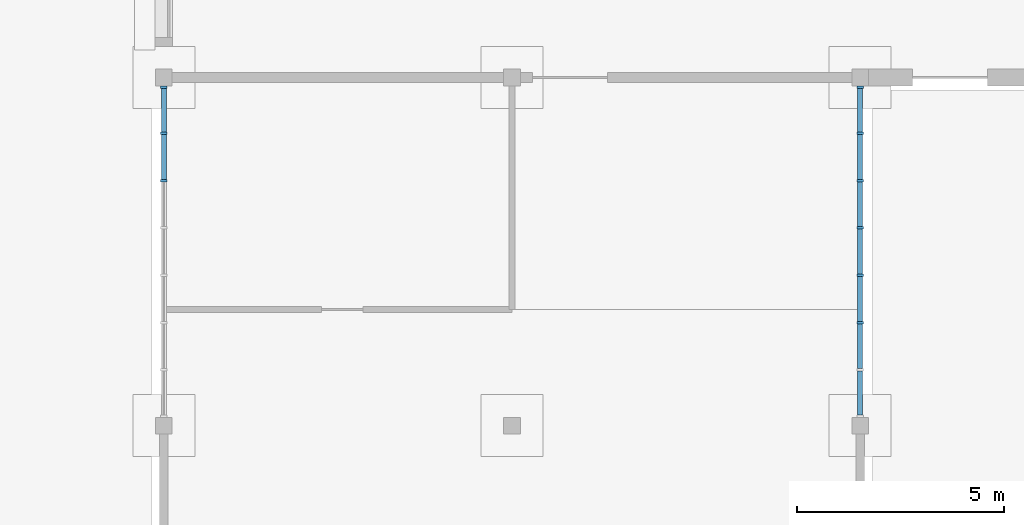
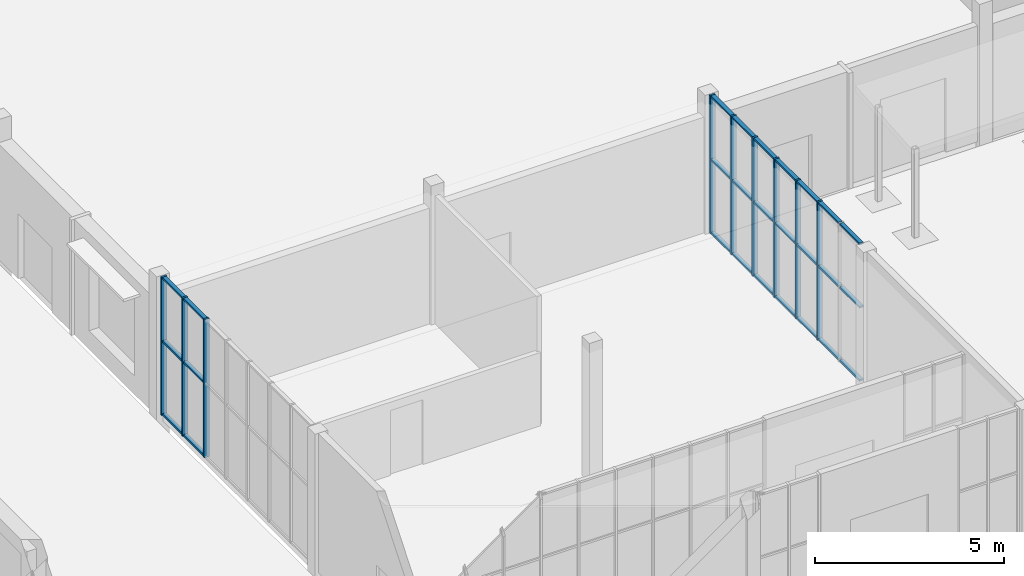
# One storey, part 11 of 36: 36 members, 2 elements without a shape of their own.
"""IFC4 building model written with IfcOpenShell, lengths in metres."""

from ifc_helpers import new_model, si_unit, direction, frame, origin, origin_2d, place, context, subcontext, project, spatial, rectangle, extrude, material, material_profile, profile_set, type_object, element, aggregate, save


model = new_model("IFC4")

# Units and contexts
model_context = context("Model", 3, precision=1e-05, world=origin(), true_north=direction((0.0, 1.0)))
body_context = subcontext(model_context, "Body", "Model", "MODEL_VIEW")
ifc_project = project(units=[si_unit("LENGTHUNIT", "METRE"), si_unit("AREAUNIT", "SQUARE_METRE"), si_unit("VOLUMEUNIT", "CUBIC_METRE"), si_unit("PLANEANGLEUNIT", "RADIAN"), si_unit("MASSUNIT", "GRAM", prefix="KILO")], contexts=[model_context])

# Site, building, storey
site_placement = place(None, origin())
site = spatial("IfcSite", under=ifc_project, at=site_placement, CompositionType="ELEMENT")
building_placement = place(site_placement, origin())
building = spatial("IfcBuilding", under=site, at=building_placement, Name="Fescue Hill Polytechnic", CompositionType="ELEMENT")
storey_placement = place(building_placement, origin())
storey = spatial("IfcBuildingStorey", under=building, at=storey_placement, Name="L00", CompositionType="ELEMENT", Elevation=0.0)

# Curtain wall, members
ifc_material_1 = material(Name="Glass", Category="glass")
curtain_wall_type = type_object("IfcCurtainWallType", Name="Curtain wall structural glazing", PredefinedType="NOTDEFINED", material=ifc_material_1)
curtain_wall_1_placement = place(storey_placement, origin())
curtain_wall_1 = element("IfcCurtainWall", 1, at=curtain_wall_1_placement, inside=storey, type_object=curtain_wall_type, Name="CW-L00-V7-1", PredefinedType="NOTDEFINED")
ifc_material_2 = material(Name="Powder-coated aluminium", Category="aluminium")
ifc_material_profile_1 = material_profile(ifc_material_2, rectangle(XDim=0.159912109375, YDim=0.06005859375, at=origin_2d()), Name="Mullion aluminium 60x160")
ifc_profile_set_1 = profile_set([ifc_material_profile_1], Name="Powder-coated aluminium")
member_type_1 = type_object("IfcMemberType", Name="Mullion aluminium 60x160", PredefinedType="MULLION", material=ifc_profile_set_1)
member_1_placement = place(storey_placement, frame((142.800048828125, 2.485595703125, 0.0), z_axis=(0.0, 0.0, 1.0), x_axis=(-1.0, 0.0, 0.0)))
member_1 = element("IfcMember", 2, at=member_1_placement, type_object=member_type_1, Name="CW37 mullion 3", PredefinedType="MULLION", context=body_context, shape_type="SweptSolid", body=[
    extrude(rectangle(XDim=0.159912109375, YDim=0.06005859375, at=origin_2d()), origin(), (0.0, 0.0, 1.0), 4.47998046875),
])
member_2_placement = place(storey_placement, frame((142.800048828125, 3.628662109375, 0.0), z_axis=(0.0, 0.0, 1.0), x_axis=(-1.0, 0.0, 0.0)))
member_2 = element("IfcMember", 3, at=member_2_placement, type_object=member_type_1, Name="CW37 mullion 4", PredefinedType="MULLION", context=body_context, shape_type="SweptSolid", body=[
    extrude(rectangle(XDim=0.159912109375, YDim=0.06005859375, at=origin_2d()), origin(), (0.0, 0.0, 1.0), 4.47998046875),
])
member_3_placement = place(storey_placement, frame((142.800048828125, 4.771484375, 0.0), z_axis=(0.0, 0.0, 1.0), x_axis=(-1.0, 0.0, 0.0)))
member_3 = element("IfcMember", 4, at=member_3_placement, type_object=member_type_1, Name="CW37 mullion 5", PredefinedType="MULLION", context=body_context, shape_type="SweptSolid", body=[
    extrude(rectangle(XDim=0.159912109375, YDim=0.06005859375, at=origin_2d()), origin(), (0.0, 0.0, 1.0), 4.47998046875),
])
member_4_placement = place(storey_placement, frame((142.800048828125, 5.914306640625, 0.0), z_axis=(0.0, 0.0, 1.0), x_axis=(-1.0, 0.0, 0.0)))
member_4 = element("IfcMember", 5, at=member_4_placement, type_object=member_type_1, Name="CW37 mullion 6", PredefinedType="MULLION", context=body_context, shape_type="SweptSolid", body=[
    extrude(rectangle(XDim=0.159912109375, YDim=0.06005859375, at=origin_2d()), origin(), (0.0, 0.0, 1.0), 4.47998046875),
])
member_5_placement = place(storey_placement, frame((142.800048828125, 7.05712890625, 0.0), z_axis=(0.0, 0.0, 1.0), x_axis=(-1.0, 0.0, 0.0)))
member_5 = element("IfcMember", 6, at=member_5_placement, type_object=member_type_1, Name="CW37 mullion 7", PredefinedType="MULLION", context=body_context, shape_type="SweptSolid", body=[
    extrude(rectangle(XDim=0.159912109375, YDim=0.06005859375, at=origin_2d()), origin(), (0.0, 0.0, 1.0), 4.47998046875),
])
member_6_placement = place(storey_placement, frame((142.800048828125, 8.169921875, 0.0), z_axis=(0.0, 0.0, 1.0), x_axis=(-1.0, 0.0, 0.0)))
member_6 = element("IfcMember", 7, at=member_6_placement, type_object=member_type_1, Name="CW37 mullion 8", PredefinedType="MULLION", context=body_context, shape_type="SweptSolid", body=[
    extrude(rectangle(XDim=0.159912109375, YDim=0.06005859375, at=origin_2d()), origin(), (0.0, 0.0, 1.0), 4.47998046875),
])

curtain_wall_2_placement = place(storey_placement, origin())
curtain_wall_2 = element("IfcCurtainWall", 8, at=curtain_wall_2_placement, inside=storey, type_object=curtain_wall_type, Name="CW-L00-V7-2", PredefinedType="NOTDEFINED")
member_7_placement = place(storey_placement, frame((126.0, 8.169921875, 0.0), z_axis=(0.0, 0.0, 1.0), x_axis=(1.0, 0.0, 0.0)))
member_7 = element("IfcMember", 9, at=member_7_placement, type_object=member_type_1, Name="CW38 mullion 1", PredefinedType="MULLION", context=body_context, shape_type="SweptSolid", body=[
    extrude(rectangle(XDim=0.159912109375, YDim=0.06005859375, at=origin_2d()), origin(), (0.0, 0.0, 1.0), 4.47998046875),
])
member_8_placement = place(storey_placement, frame((126.0, 7.05712890625, 0.0), z_axis=(0.0, 0.0, 1.0), x_axis=(1.0, 0.0, 0.0)))
member_8 = element("IfcMember", 10, at=member_8_placement, type_object=member_type_1, Name="CW38 mullion 2", PredefinedType="MULLION", context=body_context, shape_type="SweptSolid", body=[
    extrude(rectangle(XDim=0.159912109375, YDim=0.06005859375, at=origin_2d()), origin(), (0.0, 0.0, 1.0), 4.47998046875),
])
member_9_placement = place(storey_placement, frame((126.0, 5.914306640625, 0.0), z_axis=(0.0, 0.0, 1.0), x_axis=(1.0, 0.0, 0.0)))
member_9 = element("IfcMember", 11, at=member_9_placement, type_object=member_type_1, Name="CW38 mullion 3", PredefinedType="MULLION", context=body_context, shape_type="SweptSolid", body=[
    extrude(rectangle(XDim=0.159912109375, YDim=0.06005859375, at=origin_2d()), origin(), (0.0, 0.0, 1.0), 4.47998046875),
])

# Member
ifc_material_profile_2 = material_profile(ifc_material_2, rectangle(XDim=0.1201171875, YDim=0.06005859375, at=origin_2d()), Name="Transom aluminium 60x120")
ifc_profile_set_2 = profile_set([ifc_material_profile_2], Name="Powder-coated aluminium")
member_type_2 = type_object("IfcMemberType", Name="Transom aluminium 60x120", PredefinedType="USERDEFINED", material=ifc_profile_set_2)
member_10_placement = place(storey_placement, frame((142.800048828125, 0.260009765625, 0.030029296875), z_axis=(0.0, 1.0, 0.0), x_axis=(-1.0, 0.0, 0.0)))
member_10 = element("IfcMember", 12, at=member_10_placement, type_object=member_type_2, Name="CW37 transom 1.1", ObjectType="TRANSOM", PredefinedType="USERDEFINED", context=body_context, shape_type="SweptSolid", body=[
    extrude(rectangle(XDim=0.1201171875, YDim=0.06005859375, at=origin_2d()), origin(), (0.0, 0.0, 1.0), 1.052734375),
])

member_11_placement = place(storey_placement, frame((142.800048828125, 0.260009765625, 2.39990234375), z_axis=(0.0, 1.0, 0.0), x_axis=(-1.0, 0.0, 0.0)))
member_11 = element("IfcMember", 13, at=member_11_placement, type_object=member_type_2, Name="CW37 transom 1.2", ObjectType="TRANSOM", PredefinedType="USERDEFINED", context=body_context, shape_type="SweptSolid", body=[
    extrude(rectangle(XDim=0.1201171875, YDim=0.06005859375, at=origin_2d()), origin(), (0.0, 0.0, 1.0), 1.052734375),
])

member_12_placement = place(storey_placement, frame((142.800048828125, 0.260009765625, 4.449951171875), z_axis=(0.0, 1.0, 0.0), x_axis=(-1.0, 0.0, 0.0)))
member_12 = element("IfcMember", 14, at=member_12_placement, type_object=member_type_2, Name="CW37 transom 1.3", ObjectType="TRANSOM", PredefinedType="USERDEFINED", context=body_context, shape_type="SweptSolid", body=[
    extrude(rectangle(XDim=0.1201171875, YDim=0.06005859375, at=origin_2d()), origin(), (0.0, 0.0, 1.0), 1.052734375),
])

member_13_placement = place(storey_placement, frame((142.800048828125, 1.372802734375, 0.030029296875), z_axis=(0.0, 1.0, 0.0), x_axis=(-1.0, 0.0, 0.0)))
member_13 = element("IfcMember", 15, at=member_13_placement, type_object=member_type_2, Name="CW37 transom 2.1", ObjectType="TRANSOM", PredefinedType="USERDEFINED", context=body_context, shape_type="SweptSolid", body=[
    extrude(rectangle(XDim=0.1201171875, YDim=0.06005859375, at=origin_2d()), origin(), (0.0, 0.0, 1.0), 1.0830078125),
])

member_14_placement = place(storey_placement, frame((142.800048828125, 1.372802734375, 2.39990234375), z_axis=(0.0, 1.0, 0.0), x_axis=(-1.0, 0.0, 0.0)))
member_14 = element("IfcMember", 16, at=member_14_placement, type_object=member_type_2, Name="CW37 transom 2.2", ObjectType="TRANSOM", PredefinedType="USERDEFINED", context=body_context, shape_type="SweptSolid", body=[
    extrude(rectangle(XDim=0.1201171875, YDim=0.06005859375, at=origin_2d()), origin(), (0.0, 0.0, 1.0), 1.0830078125),
])

member_15_placement = place(storey_placement, frame((142.800048828125, 1.372802734375, 4.449951171875), z_axis=(0.0, 1.0, 0.0), x_axis=(-1.0, 0.0, 0.0)))
member_15 = element("IfcMember", 17, at=member_15_placement, type_object=member_type_2, Name="CW37 transom 2.3", ObjectType="TRANSOM", PredefinedType="USERDEFINED", context=body_context, shape_type="SweptSolid", body=[
    extrude(rectangle(XDim=0.1201171875, YDim=0.06005859375, at=origin_2d()), origin(), (0.0, 0.0, 1.0), 1.0830078125),
])

member_16_placement = place(storey_placement, frame((142.800048828125, 2.515625, 0.030029296875), z_axis=(0.0, 1.0, 0.0), x_axis=(-1.0, 0.0, 0.0)))
member_16 = element("IfcMember", 18, at=member_16_placement, type_object=member_type_2, Name="CW37 transom 3.1", ObjectType="TRANSOM", PredefinedType="USERDEFINED", context=body_context, shape_type="SweptSolid", body=[
    extrude(rectangle(XDim=0.1201171875, YDim=0.06005859375, at=origin_2d()), origin(), (0.0, 0.0, 1.0), 1.0830078125),
])

member_17_placement = place(storey_placement, frame((142.800048828125, 2.515625, 2.39990234375), z_axis=(0.0, 1.0, 0.0), x_axis=(-1.0, 0.0, 0.0)))
member_17 = element("IfcMember", 19, at=member_17_placement, type_object=member_type_2, Name="CW37 transom 3.2", ObjectType="TRANSOM", PredefinedType="USERDEFINED", context=body_context, shape_type="SweptSolid", body=[
    extrude(rectangle(XDim=0.1201171875, YDim=0.06005859375, at=origin_2d()), origin(), (0.0, 0.0, 1.0), 1.0830078125),
])

member_18_placement = place(storey_placement, frame((142.800048828125, 2.515625, 4.449951171875), z_axis=(0.0, 1.0, 0.0), x_axis=(-1.0, 0.0, 0.0)))
member_18 = element("IfcMember", 20, at=member_18_placement, type_object=member_type_2, Name="CW37 transom 3.3", ObjectType="TRANSOM", PredefinedType="USERDEFINED", context=body_context, shape_type="SweptSolid", body=[
    extrude(rectangle(XDim=0.1201171875, YDim=0.06005859375, at=origin_2d()), origin(), (0.0, 0.0, 1.0), 1.0830078125),
])

member_19_placement = place(storey_placement, frame((142.800048828125, 3.65869140625, 0.030029296875), z_axis=(0.0, 1.0, 0.0), x_axis=(-1.0, 0.0, 0.0)))
member_19 = element("IfcMember", 21, at=member_19_placement, type_object=member_type_2, Name="CW37 transom 4.1", ObjectType="TRANSOM", PredefinedType="USERDEFINED", context=body_context, shape_type="SweptSolid", body=[
    extrude(rectangle(XDim=0.1201171875, YDim=0.06005859375, at=origin_2d()), origin(), (0.0, 0.0, 1.0), 1.082763671875),
])

member_20_placement = place(storey_placement, frame((142.800048828125, 3.65869140625, 2.39990234375), z_axis=(0.0, 1.0, 0.0), x_axis=(-1.0, 0.0, 0.0)))
member_20 = element("IfcMember", 22, at=member_20_placement, type_object=member_type_2, Name="CW37 transom 4.2", ObjectType="TRANSOM", PredefinedType="USERDEFINED", context=body_context, shape_type="SweptSolid", body=[
    extrude(rectangle(XDim=0.1201171875, YDim=0.06005859375, at=origin_2d()), origin(), (0.0, 0.0, 1.0), 1.082763671875),
])

member_21_placement = place(storey_placement, frame((142.800048828125, 3.65869140625, 4.449951171875), z_axis=(0.0, 1.0, 0.0), x_axis=(-1.0, 0.0, 0.0)))
member_21 = element("IfcMember", 23, at=member_21_placement, type_object=member_type_2, Name="CW37 transom 4.3", ObjectType="TRANSOM", PredefinedType="USERDEFINED", context=body_context, shape_type="SweptSolid", body=[
    extrude(rectangle(XDim=0.1201171875, YDim=0.06005859375, at=origin_2d()), origin(), (0.0, 0.0, 1.0), 1.082763671875),
])

member_22_placement = place(storey_placement, frame((142.800048828125, 4.801513671875, 0.030029296875), z_axis=(0.0, 1.0, 0.0), x_axis=(-1.0, 0.0, 0.0)))
member_22 = element("IfcMember", 24, at=member_22_placement, type_object=member_type_2, Name="CW37 transom 5.1", ObjectType="TRANSOM", PredefinedType="USERDEFINED", context=body_context, shape_type="SweptSolid", body=[
    extrude(rectangle(XDim=0.1201171875, YDim=0.06005859375, at=origin_2d()), origin(), (0.0, 0.0, 1.0), 1.082763671875),
])

member_23_placement = place(storey_placement, frame((142.800048828125, 4.801513671875, 2.39990234375), z_axis=(0.0, 1.0, 0.0), x_axis=(-1.0, 0.0, 0.0)))
member_23 = element("IfcMember", 25, at=member_23_placement, type_object=member_type_2, Name="CW37 transom 5.2", ObjectType="TRANSOM", PredefinedType="USERDEFINED", context=body_context, shape_type="SweptSolid", body=[
    extrude(rectangle(XDim=0.1201171875, YDim=0.06005859375, at=origin_2d()), origin(), (0.0, 0.0, 1.0), 1.082763671875),
])

member_24_placement = place(storey_placement, frame((142.800048828125, 4.801513671875, 4.449951171875), z_axis=(0.0, 1.0, 0.0), x_axis=(-1.0, 0.0, 0.0)))
member_24 = element("IfcMember", 26, at=member_24_placement, type_object=member_type_2, Name="CW37 transom 5.3", ObjectType="TRANSOM", PredefinedType="USERDEFINED", context=body_context, shape_type="SweptSolid", body=[
    extrude(rectangle(XDim=0.1201171875, YDim=0.06005859375, at=origin_2d()), origin(), (0.0, 0.0, 1.0), 1.082763671875),
])

member_25_placement = place(storey_placement, frame((142.800048828125, 5.9443359375, 0.030029296875), z_axis=(0.0, 1.0, 0.0), x_axis=(-1.0, 0.0, 0.0)))
member_25 = element("IfcMember", 27, at=member_25_placement, type_object=member_type_2, Name="CW37 transom 6.1", ObjectType="TRANSOM", PredefinedType="USERDEFINED", context=body_context, shape_type="SweptSolid", body=[
    extrude(rectangle(XDim=0.1201171875, YDim=0.06005859375, at=origin_2d()), origin(), (0.0, 0.0, 1.0), 1.082763671875),
])

member_26_placement = place(storey_placement, frame((142.800048828125, 5.9443359375, 2.39990234375), z_axis=(0.0, 1.0, 0.0), x_axis=(-1.0, 0.0, 0.0)))
member_26 = element("IfcMember", 28, at=member_26_placement, type_object=member_type_2, Name="CW37 transom 6.2", ObjectType="TRANSOM", PredefinedType="USERDEFINED", context=body_context, shape_type="SweptSolid", body=[
    extrude(rectangle(XDim=0.1201171875, YDim=0.06005859375, at=origin_2d()), origin(), (0.0, 0.0, 1.0), 1.082763671875),
])

member_27_placement = place(storey_placement, frame((142.800048828125, 5.9443359375, 4.449951171875), z_axis=(0.0, 1.0, 0.0), x_axis=(-1.0, 0.0, 0.0)))
member_27 = element("IfcMember", 29, at=member_27_placement, type_object=member_type_2, Name="CW37 transom 6.3", ObjectType="TRANSOM", PredefinedType="USERDEFINED", context=body_context, shape_type="SweptSolid", body=[
    extrude(rectangle(XDim=0.1201171875, YDim=0.06005859375, at=origin_2d()), origin(), (0.0, 0.0, 1.0), 1.082763671875),
])

member_28_placement = place(storey_placement, frame((142.800048828125, 7.087158203125, 0.030029296875), z_axis=(0.0, 1.0, 0.0), x_axis=(-1.0, 0.0, 0.0)))
member_28 = element("IfcMember", 30, at=member_28_placement, type_object=member_type_2, Name="CW37 transom 7.1", ObjectType="TRANSOM", PredefinedType="USERDEFINED", context=body_context, shape_type="SweptSolid", body=[
    extrude(rectangle(XDim=0.1201171875, YDim=0.06005859375, at=origin_2d()), origin(), (0.0, 0.0, 1.0), 1.052734375),
])

member_29_placement = place(storey_placement, frame((142.800048828125, 7.087158203125, 2.39990234375), z_axis=(0.0, 1.0, 0.0), x_axis=(-1.0, 0.0, 0.0)))
member_29 = element("IfcMember", 31, at=member_29_placement, type_object=member_type_2, Name="CW37 transom 7.2", ObjectType="TRANSOM", PredefinedType="USERDEFINED", context=body_context, shape_type="SweptSolid", body=[
    extrude(rectangle(XDim=0.1201171875, YDim=0.06005859375, at=origin_2d()), origin(), (0.0, 0.0, 1.0), 1.052734375),
])

member_30_placement = place(storey_placement, frame((142.800048828125, 7.087158203125, 4.449951171875), z_axis=(0.0, 1.0, 0.0), x_axis=(-1.0, 0.0, 0.0)))
member_30 = element("IfcMember", 32, at=member_30_placement, type_object=member_type_2, Name="CW37 transom 7.3", ObjectType="TRANSOM", PredefinedType="USERDEFINED", context=body_context, shape_type="SweptSolid", body=[
    extrude(rectangle(XDim=0.1201171875, YDim=0.06005859375, at=origin_2d()), origin(), (0.0, 0.0, 1.0), 1.052734375),
])

aggregate(curtain_wall_1, [member_1, member_2, member_3, member_4, member_5, member_6, member_10, member_11, member_12, member_13, member_14, member_15, member_16, member_17, member_18, member_19, member_20, member_21, member_22, member_23, member_24, member_25, member_26, member_27, member_28, member_29, member_30])

member_31_placement = place(storey_placement, frame((126.0, 8.139892578125, 0.030029296875), z_axis=(0.0, -1.0, 0.0), x_axis=(1.0, 0.0, 0.0)))
member_31 = element("IfcMember", 33, at=member_31_placement, type_object=member_type_2, Name="CW38 transom 1.1", ObjectType="TRANSOM", PredefinedType="USERDEFINED", context=body_context, shape_type="SweptSolid", body=[
    extrude(rectangle(XDim=0.1201171875, YDim=0.06005859375, at=origin_2d()), origin(), (0.0, 0.0, 1.0), 1.052734375),
])

member_32_placement = place(storey_placement, frame((126.0, 8.139892578125, 2.39990234375), z_axis=(0.0, -1.0, 0.0), x_axis=(1.0, 0.0, 0.0)))
member_32 = element("IfcMember", 34, at=member_32_placement, type_object=member_type_2, Name="CW38 transom 1.2", ObjectType="TRANSOM", PredefinedType="USERDEFINED", context=body_context, shape_type="SweptSolid", body=[
    extrude(rectangle(XDim=0.1201171875, YDim=0.06005859375, at=origin_2d()), origin(), (0.0, 0.0, 1.0), 1.052734375),
])

member_33_placement = place(storey_placement, frame((126.0, 8.139892578125, 4.449951171875), z_axis=(0.0, -1.0, 0.0), x_axis=(1.0, 0.0, 0.0)))
member_33 = element("IfcMember", 35, at=member_33_placement, type_object=member_type_2, Name="CW38 transom 1.3", ObjectType="TRANSOM", PredefinedType="USERDEFINED", context=body_context, shape_type="SweptSolid", body=[
    extrude(rectangle(XDim=0.1201171875, YDim=0.06005859375, at=origin_2d()), origin(), (0.0, 0.0, 1.0), 1.052734375),
])

member_34_placement = place(storey_placement, frame((126.0, 7.027099609375, 0.030029296875), z_axis=(0.0, -1.0, 0.0), x_axis=(1.0, 0.0, 0.0)))
member_34 = element("IfcMember", 36, at=member_34_placement, type_object=member_type_2, Name="CW38 transom 2.1", ObjectType="TRANSOM", PredefinedType="USERDEFINED", context=body_context, shape_type="SweptSolid", body=[
    extrude(rectangle(XDim=0.1201171875, YDim=0.06005859375, at=origin_2d()), origin(), (0.0, 0.0, 1.0), 1.082763671875),
])

member_35_placement = place(storey_placement, frame((126.0, 7.027099609375, 2.39990234375), z_axis=(0.0, -1.0, 0.0), x_axis=(1.0, 0.0, 0.0)))
member_35 = element("IfcMember", 37, at=member_35_placement, type_object=member_type_2, Name="CW38 transom 2.2", ObjectType="TRANSOM", PredefinedType="USERDEFINED", context=body_context, shape_type="SweptSolid", body=[
    extrude(rectangle(XDim=0.1201171875, YDim=0.06005859375, at=origin_2d()), origin(), (0.0, 0.0, 1.0), 1.082763671875),
])

member_36_placement = place(storey_placement, frame((126.0, 7.027099609375, 4.449951171875), z_axis=(0.0, -1.0, 0.0), x_axis=(1.0, 0.0, 0.0)))
member_36 = element("IfcMember", 38, at=member_36_placement, type_object=member_type_2, Name="CW38 transom 2.3", ObjectType="TRANSOM", PredefinedType="USERDEFINED", context=body_context, shape_type="SweptSolid", body=[
    extrude(rectangle(XDim=0.1201171875, YDim=0.06005859375, at=origin_2d()), origin(), (0.0, 0.0, 1.0), 1.082763671875),
])

aggregate(curtain_wall_2, [member_7, member_8, member_9, member_31, member_32, member_33, member_34, member_35, member_36])

save(model, "model.ifc")
